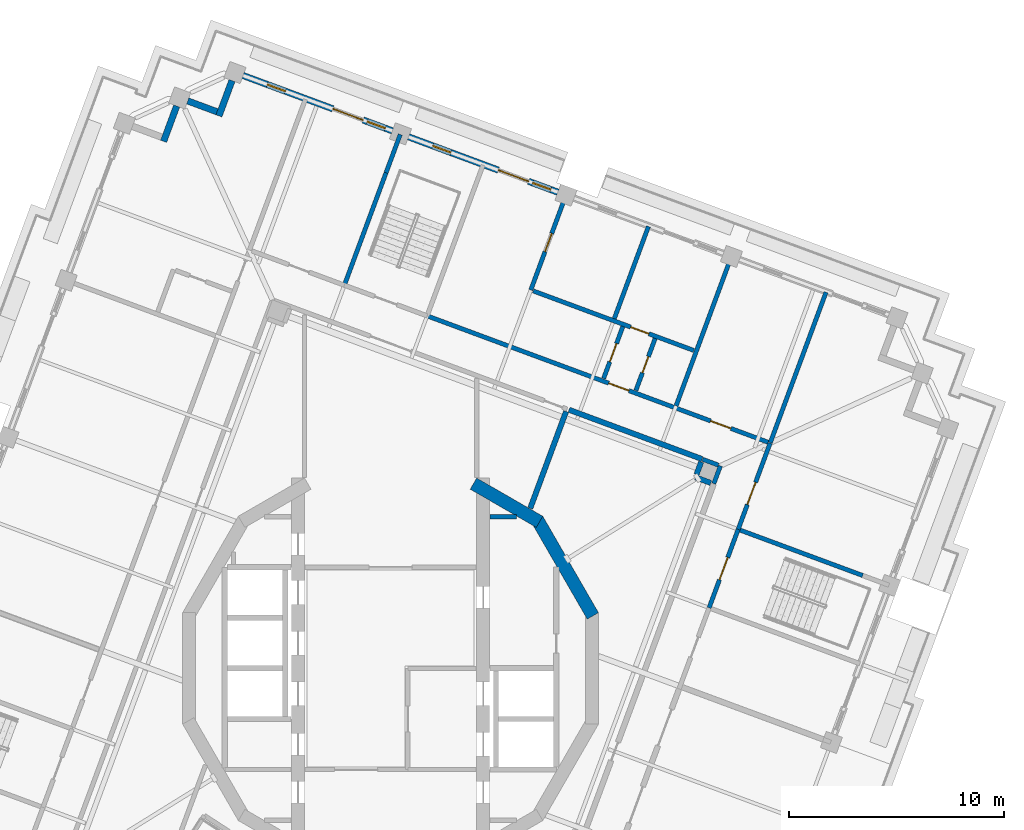
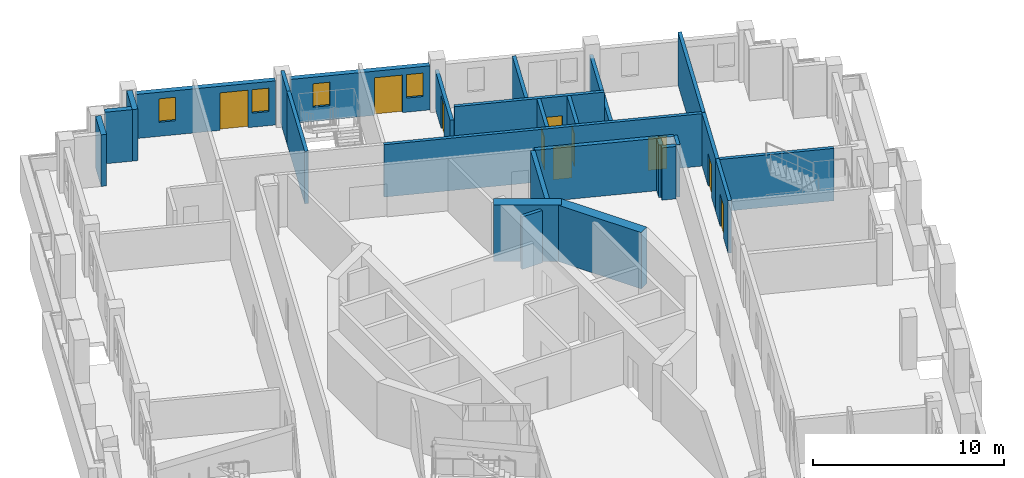
# One storey, part 8 of 18: 27 walls, 10 doors, 4 windows, 14 openings.
"""IFC4 building model written with IfcOpenShell, lengths in metres."""

from ifc_helpers import new_model, si_unit, direction, frame, frame_2d, origin, place, context, subcontext, project, spatial, rectangle, extrude, material, layer, layer_set, type_object, element, fill, save


model = new_model("IFC4")

# Units and contexts
model_context = context("Model", 3, precision=1e-05, world=origin(), true_north=direction((0.0, 1.0)))
body_context = subcontext(model_context, "Body", "Model", "MODEL_VIEW")
ifc_project = project(units=[si_unit("LENGTHUNIT", "METRE"), si_unit("AREAUNIT", "SQUARE_METRE"), si_unit("VOLUMEUNIT", "CUBIC_METRE"), si_unit("PLANEANGLEUNIT", "RADIAN"), si_unit("MASSUNIT", "GRAM", prefix="KILO")], contexts=[model_context])

# Site, building, storey
site_placement = place(None, origin())
site = spatial("IfcSite", under=ifc_project, at=site_placement, CompositionType="ELEMENT")
building_placement = place(site_placement, origin())
building = spatial("IfcBuilding", under=site, at=building_placement, Name="Cantera Rosa Tower", CompositionType="ELEMENT")
storey_placement = place(building_placement, frame((0.0, 0.0, 338.5)))
storey = spatial("IfcBuildingStorey", under=building, at=storey_placement, Name="L76", CompositionType="ELEMENT", Elevation=338.5)

# Walls
ifc_material_1 = material(Name="Gypsum board partition")
ifc_layer_1 = layer(ifc_material_1, 0.199951171875)
ifc_layer_set_1 = layer_set([ifc_layer_1], Name="CORRIDOR WALL 200 H3350")
wall_type_1 = type_object("IfcWallType", Name="CORRIDOR WALL 200 H3350", PredefinedType="PARTITIONING", material=ifc_layer_set_1)
wall_1_placement = place(storey_placement, frame((15.019287109375, 8.586181640625, 0.0), z_axis=(0.0, 0.0, 1.0), x_axis=(0.347684862487, 0.937611452787, 0.0)))
element("IfcWall", 1, at=wall_1_placement, inside=storey, type_object=wall_type_1, Name="CORRIDOR WALL L76-089", PredefinedType="PARTITIONING", context=body_context, shape_type="SweptSolid", body=[
    extrude(rectangle(XDim=0.8798828125, YDim=0.199951171875, at=frame_2d((0.43994140625, 0.0))), origin(), (0.0, 0.0, 1.0), 3.35009765625),
])
wall_2_placement = place(storey_placement, frame((15.2314453125, 9.446044921875, 0.0), z_axis=(0.0, 0.0, 1.0), x_axis=(-0.93771100034, 0.347416291848, 0.0)))
element("IfcWall", 2, at=wall_2_placement, inside=storey, type_object=wall_type_1, Name="CORRIDOR WALL L76-090", PredefinedType="PARTITIONING", context=body_context, shape_type="SweptSolid", body=[
    extrude(rectangle(XDim=0.780029296875, YDim=0.199951171875, at=frame_2d((0.39013671875, 0.0))), origin(), (0.0, 0.0, 1.0), 3.35009765625),
])

# Wall, opening, door
wall_3_placement = place(storey_placement, frame((16.1513671875, 6.460205078125, 0.0), z_axis=(0.0, 0.0, 1.0), x_axis=(0.347438825371, 0.937702651497, 0.0)))
wall_3 = element("IfcWall", 3, at=wall_3_placement, inside=storey, type_object=wall_type_1, Name="CORRIDOR WALL L76-092", PredefinedType="PARTITIONING", context=body_context, shape_type="SweptSolid", body=[
    extrude(rectangle(XDim=4.280029296875, YDim=0.199951171875, at=frame_2d((2.14013671875, 0.0))), origin(), (0.0, 0.0, 1.0), 3.35009765625),
])
opening_1_placement = place(wall_3_placement, frame((1.22998046875, 0.0, 0.0)))
opening_1 = element("IfcOpeningElement", 4, at=opening_1_placement, cuts=wall_3, Name="Opening L76-038", PredefinedType="OPENING", context=body_context, shape_type="SweptSolid", body=[
    extrude(rectangle(XDim=1.10009765625, YDim=2.10009765625, at=frame_2d((0.550048828125, 1.050048828125))), frame((0.0, 0.10986328125, 0.0), z_axis=(0.0, -1.0, 0.0), x_axis=(1.0, 0.0, 0.0)), (0.0, 0.0, 1.0), 0.219970703125),
])
ifc_material_2 = material(Name="Timber door leaf", Category="wood")
door_type_1 = type_object("IfcDoorType", Name="ROOM DOOR 1100x2100", OperationType="NOTDEFINED", PredefinedType="DOOR", material=ifc_material_2)
door_1_placement = place(opening_1_placement, origin())
door_1 = element("IfcDoor", 5, at=door_1_placement, inside=storey, type_object=door_type_1, Name="DOOR L76-038", OperationType="NOTDEFINED", OverallHeight=2.10009765625, OverallWidth=1.10009765625, PredefinedType="DOOR", context=body_context, shape_type="SweptSolid", body=[
    extrude(rectangle(XDim=1.10009765625, YDim=2.10009765625, at=frame_2d((0.550048828125, 1.050048828125))), frame((0.0, 0.02490234375, 0.0), z_axis=(0.0, -1.0, 0.0), x_axis=(1.0, 0.0, 0.0)), (0.0, 0.0, 1.0), 0.050048828125),
])
fill(opening_1, door_1)

# Wall, openings, doors
wall_4_placement = place(storey_placement, frame((17.544677734375, 10.50830078125, 0.0), z_axis=(0.0, 0.0, 1.0), x_axis=(-0.937684617113, 0.347487494493, 0.0)))
wall_4 = element("IfcWall", 6, at=wall_4_placement, inside=storey, type_object=wall_type_1, Name="CORRIDOR WALL L76-093", PredefinedType="PARTITIONING", context=body_context, shape_type="SweptSolid", body=[
    extrude(rectangle(XDim=16.900146484375, YDim=0.199951171875, at=frame_2d((8.4501953125, 0.0))), origin(), (0.0, 0.0, 1.0), 3.35009765625),
])
opening_2_placement = place(wall_4_placement, frame((1.85009765625, 0.0, 0.0)))
opening_2 = element("IfcOpeningElement", 7, at=opening_2_placement, cuts=wall_4, Name="Opening L76-019", PredefinedType="OPENING", context=body_context, shape_type="SweptSolid", body=[
    extrude(rectangle(XDim=1.0, YDim=2.10009765625, at=frame_2d((0.5, 1.050048828125))), frame((0.0, 0.10986328125, 0.0), z_axis=(0.0, -1.0, 0.0), x_axis=(1.0, 0.0, 0.0)), (0.0, 0.0, 1.0), 0.219970703125),
])
opening_3_placement = place(wall_4_placement, frame((6.89990234375, 0.0, 0.0)))
opening_3 = element("IfcOpeningElement", 8, at=opening_3_placement, cuts=wall_4, Name="Opening L76-020", PredefinedType="OPENING", context=body_context, shape_type="SweptSolid", body=[
    extrude(rectangle(XDim=1.0, YDim=2.10009765625, at=frame_2d((0.5, 1.050048828125))), frame((0.0, 0.10986328125, 0.0), z_axis=(0.0, -1.0, 0.0), x_axis=(1.0, 0.0, 0.0)), (0.0, 0.0, 1.0), 0.219970703125),
])
ifc_material_3 = material(Name="Timber door leaf", Category="wood")
door_type_2 = type_object("IfcDoorType", Name="ENTRANCE DOOR 1000x2100", OperationType="NOTDEFINED", PredefinedType="DOOR", material=ifc_material_3)
door_2_placement = place(opening_3_placement, origin())
door_2 = element("IfcDoor", 9, at=door_2_placement, inside=storey, type_object=door_type_2, Name="DOOR L76-020", OperationType="NOTDEFINED", OverallHeight=2.10009765625, OverallWidth=1.0, PredefinedType="DOOR", context=body_context, shape_type="SweptSolid", body=[
    extrude(rectangle(XDim=1.0, YDim=2.10009765625, at=frame_2d((0.5, 1.050048828125))), frame((0.0, 0.02490234375, 0.0), z_axis=(0.0, -1.0, 0.0), x_axis=(1.0, 0.0, 0.0)), (0.0, 0.0, 1.0), 0.050048828125),
])
fill(opening_3, door_2)
ifc_material_4 = material(Name="Timber door leaf", Category="wood")
door_type_3 = type_object("IfcDoorType", Name="ROOM DOOR 1000x2100", OperationType="NOTDEFINED", PredefinedType="DOOR", material=ifc_material_4)
door_3_placement = place(opening_2_placement, origin())
door_3 = element("IfcDoor", 10, at=door_3_placement, inside=storey, type_object=door_type_3, Name="DOOR L76-019", OperationType="NOTDEFINED", OverallHeight=2.10009765625, OverallWidth=1.0, PredefinedType="DOOR", context=body_context, shape_type="SweptSolid", body=[
    extrude(rectangle(XDim=1.0, YDim=2.10009765625, at=frame_2d((0.5, 1.050048828125))), frame((0.0, 0.02490234375, 0.0), z_axis=(0.0, -1.0, 0.0), x_axis=(1.0, 0.0, 0.0)), (0.0, 0.0, 1.0), 0.050048828125),
])
fill(opening_2, door_3)

# Walls
ifc_material_5 = material(Name="Hollow clay masonry with cantera stone cladding", Category="masonry")
ifc_layer_2 = layer(ifc_material_5, 0.300048828125)
ifc_layer_set_2 = layer_set([ifc_layer_2], Name="EW-LOGGIA 300")
wall_type_2 = type_object("IfcWallType", Name="EW-LOGGIA 300", PredefinedType="SOLIDWALL", material=ifc_layer_set_2)
wall_5_placement = place(storey_placement, frame((-7.36865234375, 27.312255859375, 0.0), z_axis=(0.0, 0.0, 1.0), x_axis=(-0.34752790836, -0.937669639538, 0.0)))
element("IfcWall", 11, at=wall_5_placement, inside=storey, type_object=wall_type_2, Name="EN-L76-W05a", PredefinedType="SOLIDWALL", context=body_context, shape_type="SweptSolid", body=[
    extrude(rectangle(XDim=1.75, YDim=0.300048828125, at=frame_2d((0.875, 0.0))), origin(), (0.0, 0.0, 1.0), 3.300048828125),
])
wall_6_placement = place(storey_placement, frame((-8.065185546875, 25.8642578125, 0.0), z_axis=(0.0, 0.0, 1.0), x_axis=(-0.937671557958, 0.347522732201, 0.0)))
element("IfcWall", 12, at=wall_6_placement, inside=storey, type_object=wall_type_2, Name="EN-L76-W05b", PredefinedType="SOLIDWALL", context=body_context, shape_type="SweptSolid", body=[
    extrude(rectangle(XDim=1.449951171875, YDim=0.300048828125, at=frame_2d((0.72509765625, 0.0))), origin(), (0.0, 0.0, 1.0), 3.300048828125),
])
wall_7_placement = place(storey_placement, frame((-9.93896484375, 26.132080078125, 0.0), z_axis=(0.0, 0.0, 1.0), x_axis=(-0.34748245117, -0.937686486054, 0.0)))
element("IfcWall", 13, at=wall_7_placement, inside=storey, type_object=wall_type_2, Name="EN-L76-W06a", PredefinedType="SOLIDWALL", context=body_context, shape_type="SweptSolid", body=[
    extrude(rectangle(XDim=1.750244140625, YDim=0.300048828125, at=frame_2d((0.875, 0.0))), origin(), (0.0, 0.0, 1.0), 3.300048828125),
])

# Wall, openings, windows, door
ifc_material_6 = material(Name="Hollow clay masonry with cantera stone cladding", Category="masonry")
ifc_layer_3 = layer(ifc_material_6, 0.300048828125)
ifc_layer_set_3 = layer_set([ifc_layer_3], Name="EW-LOGGIA 300 H2820")
wall_type_3 = type_object("IfcWallType", Name="EW-LOGGIA 300 H2820", PredefinedType="SOLIDWALL", material=ifc_layer_set_3)
wall_8_placement = place(storey_placement, frame((7.7734375, 22.127685546875, 0.0), z_axis=(0.0, 0.0, 1.0), x_axis=(-0.937680690562, 0.34749808999, 0.0)))
wall_8 = element("IfcWall", 14, at=wall_8_placement, inside=storey, type_object=wall_type_3, Name="EN-L76-W03", PredefinedType="SOLIDWALL", context=body_context, shape_type="SweptSolid", body=[
    extrude(rectangle(XDim=7.400146484375, YDim=0.300048828125, at=frame_2d((3.7001953125, 0.0))), origin(), (0.0, 0.0, 1.0), 2.820068359375),
])
opening_4_placement = place(wall_8_placement, frame((0.35009765625, 0.0, 0.89990234375)))
opening_4 = element("IfcOpeningElement", 15, at=opening_4_placement, cuts=wall_8, Name="Opening L76-W07", PredefinedType="OPENING", context=body_context, shape_type="SweptSolid", body=[
    extrude(rectangle(XDim=0.89990234375, YDim=1.5, at=frame_2d((0.449951171875, 0.75))), frame((0.0, 0.159912109375, 0.0), z_axis=(0.0, -1.0, 0.0), x_axis=(1.0, 0.0, 0.0)), (0.0, 0.0, 1.0), 0.320068359375),
])
opening_5_placement = place(wall_8_placement, frame((1.449951171875, 0.0, 0.0)))
opening_5 = element("IfcOpeningElement", 16, at=opening_5_placement, cuts=wall_8, Name="Opening L76-TD08", PredefinedType="OPENING", context=body_context, shape_type="SweptSolid", body=[
    extrude(rectangle(XDim=1.5, YDim=2.39990234375, at=frame_2d((0.75, 1.199951171875))), frame((0.0, 0.159912109375, 0.0), z_axis=(0.0, -1.0, 0.0), x_axis=(1.0, 0.0, 0.0)), (0.0, 0.0, 1.0), 0.320068359375),
])
opening_6_placement = place(wall_8_placement, frame((5.300048828125, 0.0, 0.89990234375)))
opening_6 = element("IfcOpeningElement", 17, at=opening_6_placement, cuts=wall_8, Name="Opening L76-W09", PredefinedType="OPENING", context=body_context, shape_type="SweptSolid", body=[
    extrude(rectangle(XDim=0.89990234375, YDim=1.5, at=frame_2d((0.449951171875, 0.75))), frame((0.0, 0.159912109375, 0.0), z_axis=(0.0, -1.0, 0.0), x_axis=(1.0, 0.0, 0.0)), (0.0, 0.0, 1.0), 0.320068359375),
])
ifc_material_7 = material(Name="Aluminium frame with clear glass", Category="aluminium")
window_type = type_object("IfcWindowType", Name="Residential window 900x1500", PartitioningType="SINGLE_PANEL", PredefinedType="WINDOW", material=ifc_material_7)
window_1_placement = place(opening_4_placement, origin())
window_1 = element("IfcWindow", 18, at=window_1_placement, inside=storey, type_object=window_type, Name="WINDOW L76-W07", OverallHeight=1.5, OverallWidth=0.89990234375, PartitioningType="SINGLE_PANEL", PredefinedType="WINDOW", context=body_context, shape_type="SweptSolid", body=[
    extrude(rectangle(XDim=0.89990234375, YDim=1.5, at=frame_2d((0.449951171875, 0.75))), frame((0.0, 0.030029296875, 0.0), z_axis=(0.0, -1.0, 0.0), x_axis=(1.0, 0.0, 0.0)), (0.0, 0.0, 1.0), 0.06005859375),
])
fill(opening_4, window_1)
window_2_placement = place(opening_6_placement, origin())
window_2 = element("IfcWindow", 19, at=window_2_placement, inside=storey, type_object=window_type, Name="WINDOW L76-W09", OverallHeight=1.5, OverallWidth=0.89990234375, PartitioningType="SINGLE_PANEL", PredefinedType="WINDOW", context=body_context, shape_type="SweptSolid", body=[
    extrude(rectangle(XDim=0.89990234375, YDim=1.5, at=frame_2d((0.449951171875, 0.75))), frame((0.0, 0.030029296875, 0.0), z_axis=(0.0, -1.0, 0.0), x_axis=(1.0, 0.0, 0.0)), (0.0, 0.0, 1.0), 0.06005859375),
])
fill(opening_6, window_2)
ifc_material_8 = material(Name="Aluminium frame with clear glass", Category="aluminium")
door_type_4 = type_object("IfcDoorType", Name="TD-R 1500x2400", OperationType="NOTDEFINED", PredefinedType="DOOR", material=ifc_material_8)
door_4_placement = place(opening_5_placement, origin())
door_4 = element("IfcDoor", 20, at=door_4_placement, inside=storey, type_object=door_type_4, Name="LOGGIA DOOR L76-TD08", OperationType="SLIDING_TO_LEFT", OverallHeight=2.39990234375, OverallWidth=1.5, PredefinedType="DOOR", context=body_context, shape_type="SweptSolid", body=[
    extrude(rectangle(XDim=1.5, YDim=2.39990234375, at=frame_2d((0.75, 1.199951171875))), frame((0.0, 0.02490234375, 0.0), z_axis=(0.0, -1.0, 0.0), x_axis=(1.0, 0.0, 0.0)), (0.0, 0.0, 1.0), 0.050048828125),
])
fill(opening_5, door_4)

wall_9_placement = place(storey_placement, frame((0.084228515625, 24.97705078125, 0.0), z_axis=(0.0, 0.0, 1.0), x_axis=(-0.937687456783, 0.347479831633, 0.0)))
wall_9 = element("IfcWall", 21, at=wall_9_placement, inside=storey, type_object=wall_type_3, Name="EN-L76-W04", PredefinedType="SOLIDWALL", context=body_context, shape_type="SweptSolid", body=[
    extrude(rectangle(XDim=7.39990234375, YDim=0.300048828125, at=frame_2d((3.699951171875, 0.0))), origin(), (0.0, 0.0, 1.0), 2.820068359375),
])
opening_7_placement = place(wall_9_placement, frame((0.35009765625, 0.0, 0.89990234375)))
opening_7 = element("IfcOpeningElement", 22, at=opening_7_placement, cuts=wall_9, Name="Opening L76-W10", PredefinedType="OPENING", context=body_context, shape_type="SweptSolid", body=[
    extrude(rectangle(XDim=0.89990234375, YDim=1.5, at=frame_2d((0.449951171875, 0.75))), frame((0.0, 0.159912109375, 0.0), z_axis=(0.0, -1.0, 0.0), x_axis=(1.0, 0.0, 0.0)), (0.0, 0.0, 1.0), 0.320068359375),
])
opening_8_placement = place(wall_9_placement, frame((1.449951171875, 0.0, 0.0)))
opening_8 = element("IfcOpeningElement", 23, at=opening_8_placement, cuts=wall_9, Name="Opening L76-TD11", PredefinedType="OPENING", context=body_context, shape_type="SweptSolid", body=[
    extrude(rectangle(XDim=1.5, YDim=2.39990234375, at=frame_2d((0.75, 1.199951171875))), frame((0.0, 0.159912109375, 0.0), z_axis=(0.0, -1.0, 0.0), x_axis=(1.0, 0.0, 0.0)), (0.0, 0.0, 1.0), 0.320068359375),
])
opening_9_placement = place(wall_9_placement, frame((5.300048828125, 0.0, 0.89990234375)))
opening_9 = element("IfcOpeningElement", 24, at=opening_9_placement, cuts=wall_9, Name="Opening L76-W12", PredefinedType="OPENING", context=body_context, shape_type="SweptSolid", body=[
    extrude(rectangle(XDim=0.89990234375, YDim=1.5, at=frame_2d((0.449951171875, 0.75))), frame((0.0, 0.159912109375, 0.0), z_axis=(0.0, -1.0, 0.0), x_axis=(1.0, 0.0, 0.0)), (0.0, 0.0, 1.0), 0.320068359375),
])
window_3_placement = place(opening_7_placement, origin())
window_3 = element("IfcWindow", 25, at=window_3_placement, inside=storey, type_object=window_type, Name="WINDOW L76-W10", OverallHeight=1.5, OverallWidth=0.89990234375, PartitioningType="SINGLE_PANEL", PredefinedType="WINDOW", context=body_context, shape_type="SweptSolid", body=[
    extrude(rectangle(XDim=0.89990234375, YDim=1.5, at=frame_2d((0.449951171875, 0.75))), frame((0.0, 0.030029296875, 0.0), z_axis=(0.0, -1.0, 0.0), x_axis=(1.0, 0.0, 0.0)), (0.0, 0.0, 1.0), 0.06005859375),
])
fill(opening_7, window_3)
window_4_placement = place(opening_9_placement, origin())
window_4 = element("IfcWindow", 26, at=window_4_placement, inside=storey, type_object=window_type, Name="WINDOW L76-W12", OverallHeight=1.5, OverallWidth=0.89990234375, PartitioningType="SINGLE_PANEL", PredefinedType="WINDOW", context=body_context, shape_type="SweptSolid", body=[
    extrude(rectangle(XDim=0.89990234375, YDim=1.5, at=frame_2d((0.449951171875, 0.75))), frame((0.0, 0.030029296875, 0.0), z_axis=(0.0, -1.0, 0.0), x_axis=(1.0, 0.0, 0.0)), (0.0, 0.0, 1.0), 0.06005859375),
])
fill(opening_9, window_4)
door_5_placement = place(opening_8_placement, origin())
door_5 = element("IfcDoor", 27, at=door_5_placement, inside=storey, type_object=door_type_4, Name="LOGGIA DOOR L76-TD11", OperationType="SLIDING_TO_LEFT", OverallHeight=2.39990234375, OverallWidth=1.5, PredefinedType="DOOR", context=body_context, shape_type="SweptSolid", body=[
    extrude(rectangle(XDim=1.5, YDim=2.39990234375, at=frame_2d((0.75, 1.199951171875))), frame((0.0, 0.02490234375, 0.0), z_axis=(0.0, -1.0, 0.0), x_axis=(1.0, 0.0, 0.0)), (0.0, 0.0, 1.0), 0.050048828125),
])
fill(opening_8, door_5)

# Wall, opening, door
ifc_material_9 = material(Name="Gypsum board partition")
ifc_layer_4 = layer(ifc_material_9, 0.199951171875)
ifc_layer_set_4 = layer_set([ifc_layer_4], Name="PARTITION 200 H2450")
wall_type_4 = type_object("IfcWallType", Name="PARTITION 200 H2450", PredefinedType="PARTITIONING", material=ifc_layer_set_4)
wall_10_placement = place(storey_placement, frame((6.515380859375, 17.58154296875, 0.0), z_axis=(0.0, 0.0, 1.0), x_axis=(0.347436943517, 0.937703348762, 0.0)))
wall_10 = element("IfcWall", 28, at=wall_10_placement, inside=storey, type_object=wall_type_4, Name="PARTITION L76-070", PredefinedType="PARTITIONING", context=body_context, shape_type="SweptSolid", body=[
    extrude(rectangle(XDim=4.670166015625, YDim=0.199951171875, at=frame_2d((2.3349609375, 0.0))), origin(), (0.0, 0.0, 1.0), 2.449951171875),
])
opening_10_placement = place(wall_10_placement, frame((1.89990234375, 0.0, 0.0)))
opening_10 = element("IfcOpeningElement", 29, at=opening_10_placement, cuts=wall_10, Name="Opening L76-024", PredefinedType="OPENING", context=body_context, shape_type="SweptSolid", body=[
    extrude(rectangle(XDim=0.89990234375, YDim=2.10009765625, at=frame_2d((0.449951171875, 1.050048828125))), frame((0.0, 0.10986328125, 0.0), z_axis=(0.0, -1.0, 0.0), x_axis=(1.0, 0.0, 0.0)), (0.0, 0.0, 1.0), 0.219970703125),
])
ifc_material_10 = material(Name="Timber door leaf", Category="wood")
door_type_5 = type_object("IfcDoorType", Name="ROOM DOOR 900x2100", OperationType="NOTDEFINED", PredefinedType="DOOR", material=ifc_material_10)
door_6_placement = place(opening_10_placement, origin())
door_6 = element("IfcDoor", 30, at=door_6_placement, inside=storey, type_object=door_type_5, Name="DOOR L76-024", OperationType="NOTDEFINED", OverallHeight=2.10009765625, OverallWidth=0.89990234375, PredefinedType="DOOR", context=body_context, shape_type="SweptSolid", body=[
    extrude(rectangle(XDim=0.89990234375, YDim=2.10009765625, at=frame_2d((0.449951171875, 1.050048828125))), frame((0.0, 0.02490234375, 0.0), z_axis=(0.0, -1.0, 0.0), x_axis=(1.0, 0.0, 0.0)), (0.0, 0.0, 1.0), 0.050048828125),
])
fill(opening_10, door_6)

# Walls
ifc_material_11 = material(Name="Gypsum board partition")
ifc_layer_5 = layer(ifc_material_11, 0.199951171875)
ifc_layer_set_5 = layer_set([ifc_layer_5], Name="PARTITION 200 H2850")
wall_type_5 = type_object("IfcWallType", Name="PARTITION 200 H2850", PredefinedType="PARTITIONING", material=ifc_layer_set_5)
wall_11_placement = place(storey_placement, frame((10.39453125, 16.250732421875, 0.0), z_axis=(0.0, 0.0, 1.0), x_axis=(0.347467468938, 0.937692037947, 0.0)))
element("IfcWall", 31, at=wall_11_placement, inside=storey, type_object=wall_type_5, Name="PARTITION L76-080", PredefinedType="PARTITIONING", context=body_context, shape_type="SweptSolid", body=[
    extrude(rectangle(XDim=4.56982421875, YDim=0.199951171875, at=frame_2d((2.284912109375, 0.0))), origin(), (0.0, 0.0, 1.0), 2.85009765625),
])
ifc_material_12 = material(Name="Gypsum board partition")
ifc_layer_6 = layer(ifc_material_12, 0.199951171875)
ifc_layer_set_6 = layer_set([ifc_layer_6], Name="PARTITION 200 H3350")
wall_type_6 = type_object("IfcWallType", Name="PARTITION 200 H3350", PredefinedType="PARTITIONING", material=ifc_layer_set_6)
wall_12_placement = place(storey_placement, frame((4.6298828125, 7.050048828125, 0.0), z_axis=(0.0, 0.0, 1.0), x_axis=(1.0, 0.0, 0.0)))
element("IfcWall", 32, at=wall_12_placement, inside=storey, type_object=wall_type_6, Name="PARTITION L76-061", PredefinedType="PARTITIONING", context=body_context, shape_type="SweptSolid", body=[
    extrude(rectangle(XDim=1.2177734375, YDim=0.199951171875, at=frame_2d((0.60888671875, 0.0))), origin(), (0.0, 0.0, 1.0), 3.35009765625),
])

# Wall, opening, door
wall_13_placement = place(storey_placement, frame((9.8974609375, 13.47021484375, 0.0), z_axis=(0.0, 0.0, 1.0), x_axis=(0.34748078016, 0.937687105286, 0.0)))
wall_13 = element("IfcWall", 33, at=wall_13_placement, inside=storey, type_object=wall_type_6, Name="PARTITION L76-078", PredefinedType="PARTITIONING", context=body_context, shape_type="SweptSolid", body=[
    extrude(rectangle(XDim=2.579833984375, YDim=0.199951171875, at=frame_2d((1.2900390625, 0.0))), origin(), (0.0, 0.0, 1.0), 3.35009765625),
])
opening_11_placement = place(wall_13_placement, frame((0.830078125, 0.0, 0.0)))
opening_11 = element("IfcOpeningElement", 34, at=opening_11_placement, cuts=wall_13, Name="Opening L76-022", PredefinedType="OPENING", context=body_context, shape_type="SweptSolid", body=[
    extrude(rectangle(XDim=0.89990234375, YDim=2.10009765625, at=frame_2d((0.449951171875, 1.050048828125))), frame((0.0, 0.10986328125, 0.0), z_axis=(0.0, -1.0, 0.0), x_axis=(1.0, 0.0, 0.0)), (0.0, 0.0, 1.0), 0.219970703125),
])
door_7_placement = place(opening_11_placement, origin())
door_7 = element("IfcDoor", 35, at=door_7_placement, inside=storey, type_object=door_type_5, Name="DOOR L76-022", OperationType="NOTDEFINED", OverallHeight=2.10009765625, OverallWidth=0.89990234375, PredefinedType="DOOR", context=body_context, shape_type="SweptSolid", body=[
    extrude(rectangle(XDim=0.89990234375, YDim=2.10009765625, at=frame_2d((0.449951171875, 1.050048828125))), frame((0.0, 0.02490234375, 0.0), z_axis=(0.0, -1.0, 0.0), x_axis=(1.0, 0.0, 0.0)), (0.0, 0.0, 1.0), 0.050048828125),
])
fill(opening_11, door_7)

wall_14_placement = place(storey_placement, frame((11.397705078125, 12.914306640625, 0.0), z_axis=(0.0, 0.0, 1.0), x_axis=(0.34748078016, 0.937687105286, 0.0)))
wall_14 = element("IfcWall", 36, at=wall_14_placement, inside=storey, type_object=wall_type_6, Name="PARTITION L76-082", PredefinedType="PARTITIONING", context=body_context, shape_type="SweptSolid", body=[
    extrude(rectangle(XDim=2.579833984375, YDim=0.199951171875, at=frame_2d((1.2900390625, 0.0))), origin(), (0.0, 0.0, 1.0), 3.35009765625),
])
opening_12_placement = place(wall_14_placement, frame((0.8798828125, 0.0, 0.0)))
opening_12 = element("IfcOpeningElement", 37, at=opening_12_placement, cuts=wall_14, Name="Opening L76-021", PredefinedType="OPENING", context=body_context, shape_type="SweptSolid", body=[
    extrude(rectangle(XDim=0.800048828125, YDim=2.10009765625, at=frame_2d((0.39990234375, 1.050048828125))), frame((0.0, 0.10986328125, 0.0), z_axis=(0.0, -1.0, 0.0), x_axis=(1.0, 0.0, 0.0)), (0.0, 0.0, 1.0), 0.219970703125),
])
ifc_material_13 = material(Name="Timber door leaf", Category="wood")
door_type_6 = type_object("IfcDoorType", Name="BATHROOM DOOR 800x2100", OperationType="NOTDEFINED", PredefinedType="DOOR", material=ifc_material_13)
door_8_placement = place(opening_12_placement, origin())
door_8 = element("IfcDoor", 38, at=door_8_placement, inside=storey, type_object=door_type_6, Name="DOOR L76-021", OperationType="NOTDEFINED", OverallHeight=2.10009765625, OverallWidth=0.800048828125, PredefinedType="DOOR", context=body_context, shape_type="SweptSolid", body=[
    extrude(rectangle(XDim=0.800048828125, YDim=2.10009765625, at=frame_2d((0.39990234375, 1.050048828125))), frame((0.0, 0.02490234375, 0.0), z_axis=(0.0, -1.0, 0.0), x_axis=(1.0, 0.0, 0.0)), (0.0, 0.0, 1.0), 0.050048828125),
])
fill(opening_12, door_8)

wall_15_placement = place(storey_placement, frame((14.091796875, 14.77392578125, 0.0), z_axis=(0.0, 0.0, 1.0), x_axis=(-0.937692142705, 0.347467186233, 0.0)))
wall_15 = element("IfcWall", 39, at=wall_15_placement, inside=storey, type_object=wall_type_6, Name="PARTITION L76-085", PredefinedType="PARTITIONING", context=body_context, shape_type="SweptSolid", body=[
    extrude(rectangle(XDim=7.960205078125, YDim=0.199951171875, at=frame_2d((3.97998046875, 0.0))), origin(), (0.0, 0.0, 1.0), 3.35009765625),
])
opening_13_placement = place(wall_15_placement, frame((2.22998046875, 0.0, 0.0)))
opening_13 = element("IfcOpeningElement", 40, at=opening_13_placement, cuts=wall_15, Name="Opening L76-023", PredefinedType="OPENING", context=body_context, shape_type="SweptSolid", body=[
    extrude(rectangle(XDim=0.89990234375, YDim=2.10009765625, at=frame_2d((0.449951171875, 1.050048828125))), frame((0.0, 0.10986328125, 0.0), z_axis=(0.0, -1.0, 0.0), x_axis=(1.0, 0.0, 0.0)), (0.0, 0.0, 1.0), 0.219970703125),
])
door_9_placement = place(opening_13_placement, origin())
door_9 = element("IfcDoor", 41, at=door_9_placement, inside=storey, type_object=door_type_5, Name="DOOR L76-023", OperationType="NOTDEFINED", OverallHeight=2.10009765625, OverallWidth=0.89990234375, PredefinedType="DOOR", context=body_context, shape_type="SweptSolid", body=[
    extrude(rectangle(XDim=0.89990234375, YDim=2.10009765625, at=frame_2d((0.449951171875, 1.050048828125))), frame((0.0, 0.02490234375, 0.0), z_axis=(0.0, -1.0, 0.0), x_axis=(1.0, 0.0, 0.0)), (0.0, 0.0, 1.0), 0.050048828125),
])
fill(opening_13, door_9)

# Walls
wall_16_placement = place(storey_placement, frame((20.234130859375, 17.47802734375, 0.0), z_axis=(0.0, 0.0, 1.0), x_axis=(-0.347475519739, -0.937689054635, 0.0)))
element("IfcWall", 42, at=wall_16_placement, inside=storey, type_object=wall_type_6, Name="PARTITION L76-094", PredefinedType="PARTITIONING", context=body_context, shape_type="SweptSolid", body=[
    extrude(rectangle(XDim=7.44970703125, YDim=0.199951171875, at=frame_2d((3.724853515625, 0.0))), origin(), (0.0, 0.0, 1.0), 3.35009765625),
])
ifc_material_14 = material(Name="Gypsum board partition")
ifc_layer_7 = layer(ifc_material_14, 0.199951171875)
ifc_layer_set_7 = layer_set([ifc_layer_7], Name="PARTY WALL 200 H2450")
wall_type_7 = type_object("IfcWallType", Name="PARTY WALL 200 H2450", PredefinedType="PARTITIONING", material=ifc_layer_set_7)
wall_17_placement = place(storey_placement, frame((13.26611328125, 12.200439453125, 0.0), z_axis=(0.0, 0.0, 1.0), x_axis=(0.347457844161, 0.937695604411, 0.0)))
element("IfcWall", 43, at=wall_17_placement, inside=storey, type_object=wall_type_7, Name="PARTY WALL L76-083", PredefinedType="PARTITIONING", context=body_context, shape_type="SweptSolid", body=[
    extrude(rectangle(XDim=7.3701171875, YDim=0.199951171875, at=frame_2d((3.68505859375, 0.0))), origin(), (0.0, 0.0, 1.0), 2.449951171875),
])
ifc_material_15 = material(Name="Concrete C50/60", Category="concrete")
ifc_layer_8 = layer(ifc_material_15, 0.60009765625)
ifc_layer_set_8 = layer_set([ifc_layer_8], Name="RC CORE WALL 600 C50/60")
wall_type_8 = type_object("IfcWallType", Name="RC CORE WALL 600 C50/60", PredefinedType="SHEAR", material=ifc_layer_set_8)
wall_18_placement = place(storey_placement, frame((3.85009765625, 8.584228515625, 0.0), z_axis=(0.0, 0.0, 1.0), x_axis=(0.866039982607, -0.499974747889, 0.0)))
element("IfcWall", 44, at=wall_18_placement, inside=storey, type_object=wall_type_8, Name="CW-E1 L76", PredefinedType="SHEAR", context=body_context, shape_type="SweptSolid", body=[
    extrude(rectangle(XDim=3.546142578125, YDim=0.60009765625, at=frame_2d((1.77294921875, 0.0))), origin(), (0.0, 0.0, 1.0), 3.60009765625),
])
wall_19_placement = place(storey_placement, frame((6.811279296875, 6.921142578125, 0.0), z_axis=(0.0, 0.0, 1.0), x_axis=(0.499989188378, -0.866031645787, 0.0)))
element("IfcWall", 45, at=wall_19_placement, inside=storey, type_object=wall_type_8, Name="CW-E2 L76", PredefinedType="SHEAR", context=body_context, shape_type="SweptSolid", body=[
    extrude(rectangle(XDim=5.17626953125, YDim=0.60009765625, at=frame_2d((2.588134765625, 0.0))), origin(), (0.0, 0.0, 1.0), 3.60009765625),
])
ifc_material_16 = material(Name="Masonry blockwork", Category="masonry")
ifc_layer_9 = layer(ifc_material_16, 0.25)
ifc_layer_set_9 = layer_set([ifc_layer_9], Name="SHAFT WALL 250 H3350")
wall_type_9 = type_object("IfcWallType", Name="SHAFT WALL 250 H3350", PredefinedType="SOLIDWALL", material=ifc_layer_set_9)
wall_20_placement = place(storey_placement, frame((6.489990234375, 7.441162109375, 0.0), z_axis=(0.0, 0.0, 1.0), x_axis=(0.347473464899, 0.937689816086, 0.0)))
element("IfcWall", 46, at=wall_20_placement, inside=storey, type_object=wall_type_9, Name="SHAFT WALL L76-069", PredefinedType="SOLIDWALL", context=body_context, shape_type="SweptSolid", body=[
    extrude(rectangle(XDim=4.79736328125, YDim=0.25, at=frame_2d((2.398681640625, 0.0))), origin(), (0.0, 0.0, 1.0), 3.35009765625),
])
wall_21_placement = place(storey_placement, frame((14.16845703125, 8.8798828125, 0.0), z_axis=(0.0, 0.0, 1.0), x_axis=(0.937760386043, -0.347282965849, 0.0)))
element("IfcWall", 47, at=wall_21_placement, inside=storey, type_object=wall_type_9, Name="SHAFT WALL L76-084", PredefinedType="SOLIDWALL", context=body_context, shape_type="SweptSolid", body=[
    extrude(rectangle(XDim=0.760009765625, YDim=0.25, at=frame_2d((0.3798828125, 0.0))), origin(), (0.0, 0.0, 1.0), 3.35009765625),
])
wall_22_placement = place(storey_placement, frame((14.481201171875, 9.72412109375, 0.0), z_axis=(0.0, 0.0, 1.0), x_axis=(-0.937694757134, 0.347460130725, 0.0)))
element("IfcWall", 48, at=wall_22_placement, inside=storey, type_object=wall_type_9, Name="SHAFT WALL L76-086", PredefinedType="SOLIDWALL", context=body_context, shape_type="SweptSolid", body=[
    extrude(rectangle(XDim=6.599853515625, YDim=0.25, at=frame_2d((3.2998046875, 0.0))), origin(), (0.0, 0.0, 1.0), 3.35009765625),
])
wall_23_placement = place(storey_placement, frame((14.4326171875, 9.5927734375, 0.0), z_axis=(0.0, 0.0, 1.0), x_axis=(-0.347237420636, -0.937777251649, 0.0)))
element("IfcWall", 49, at=wall_23_placement, inside=storey, type_object=wall_type_9, Name="SHAFT WALL L76-087", PredefinedType="SOLIDWALL", context=body_context, shape_type="SweptSolid", body=[
    extrude(rectangle(XDim=0.6201171875, YDim=0.25, at=frame_2d((0.31005859375, 0.0))), origin(), (0.0, 0.0, 1.0), 3.35009765625),
])
ifc_material_17 = material(Name="Concrete C50/60", Category="concrete")
ifc_layer_10 = layer(ifc_material_17, 0.199951171875)
ifc_layer_set_10 = layer_set([ifc_layer_10], Name="STAIR WALL 200 H3350")
wall_type_10 = type_object("IfcWallType", Name="STAIR WALL 200 H3350", PredefinedType="SOLIDWALL", material=ifc_layer_set_10)
wall_24_placement = place(storey_placement, frame((0.448974609375, 24.81005859375, 0.0), z_axis=(0.0, 0.0, 1.0), x_axis=(-0.34743152672, -0.937705355771, 0.0)))
element("IfcWall", 50, at=wall_24_placement, inside=storey, type_object=wall_type_10, Name="STAIR WALL L76-050", PredefinedType="SOLIDWALL", context=body_context, shape_type="SweptSolid", body=[
    extrude(rectangle(XDim=1.900146484375, YDim=0.199951171875, at=frame_2d((0.9501953125, 0.0))), origin(), (0.0, 0.0, 1.0), 3.35009765625),
])

# Wall, opening, door
wall_25_placement = place(storey_placement, frame((16.1513671875, 6.460205078125, 0.0), z_axis=(0.0, 0.0, 1.0), x_axis=(-0.347516717491, -0.937673787126, 0.0)))
wall_25 = element("IfcWall", 51, at=wall_25_placement, inside=storey, type_object=wall_type_10, Name="STAIR WALL L76-091", PredefinedType="SOLIDWALL", context=body_context, shape_type="SweptSolid", body=[
    extrude(rectangle(XDim=3.889892578125, YDim=0.199951171875, at=frame_2d((1.94482421875, 0.0))), origin(), (0.0, 0.0, 1.0), 3.35009765625),
])
opening_14_placement = place(wall_25_placement, frame((1.39501953125, 0.0, 0.0)))
opening_14 = element("IfcOpeningElement", 52, at=opening_14_placement, cuts=wall_25, Name="Opening L76-001", PredefinedType="OPENING", context=body_context, shape_type="SweptSolid", body=[
    extrude(rectangle(XDim=1.10009765625, YDim=2.10009765625, at=frame_2d((0.550048828125, 1.050048828125))), frame((0.0, 0.10986328125, 0.0), z_axis=(0.0, -1.0, 0.0), x_axis=(1.0, 0.0, 0.0)), (0.0, 0.0, 1.0), 0.219970703125),
])
ifc_material_18 = material(Name="Steel S355J2 (EN 10025-2)", Category="steel")
door_type_7 = type_object("IfcDoorType", Name="STAIR DOOR 1100x2100", OperationType="NOTDEFINED", PredefinedType="DOOR", material=ifc_material_18)
door_10_placement = place(opening_14_placement, origin())
door_10 = element("IfcDoor", 53, at=door_10_placement, inside=storey, type_object=door_type_7, Name="DOOR L76-001", OperationType="NOTDEFINED", OverallHeight=2.10009765625, OverallWidth=1.10009765625, PredefinedType="DOOR", context=body_context, shape_type="SweptSolid", body=[
    extrude(rectangle(XDim=1.10009765625, YDim=2.10009765625, at=frame_2d((0.550048828125, 1.050048828125))), frame((0.0, 0.02490234375, 0.0), z_axis=(0.0, -1.0, 0.0), x_axis=(1.0, 0.0, 0.0)), (0.0, 0.0, 1.0), 0.050048828125),
])
fill(opening_14, door_10)

# Walls
wall_26_placement = place(storey_placement, frame((21.936767578125, 4.31640625, 0.0), z_axis=(0.0, 0.0, 1.0), x_axis=(-0.937692901762, 0.347465137797, 0.0)))
element("IfcWall", 54, at=wall_26_placement, inside=storey, type_object=wall_type_10, Name="STAIR WALL L76-096 J", PredefinedType="SOLIDWALL", context=body_context, shape_type="SweptSolid", body=[
    extrude(rectangle(XDim=6.169921875, YDim=0.199951171875, at=frame_2d((3.0849609375, 0.0))), origin(), (0.0, 0.0, 1.0), 3.35009765625),
])
wall_27_placement = place(storey_placement, frame((-0.211181640625, 23.0283203125, 0.0), z_axis=(0.0, 0.0, 1.0), x_axis=(-0.347494221501, -0.937682124189, 0.0)))
element("IfcWall", 55, at=wall_27_placement, inside=storey, type_object=wall_type_10, Name="STAIR WALL L76-050 J", PredefinedType="SOLIDWALL", context=body_context, shape_type="SweptSolid", body=[
    extrude(rectangle(XDim=5.570068359375, YDim=0.199951171875, at=frame_2d((2.78515625, 0.0))), origin(), (0.0, 0.0, 1.0), 3.35009765625),
])

save(model, "model.ifc")
